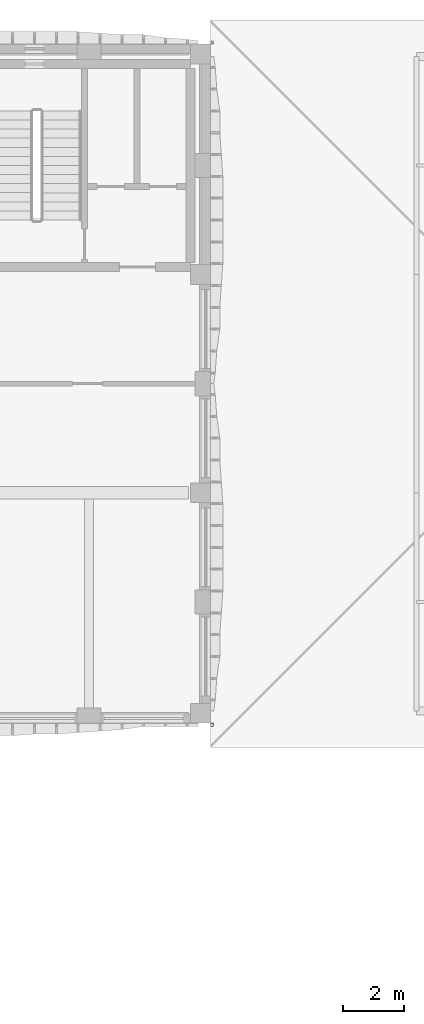
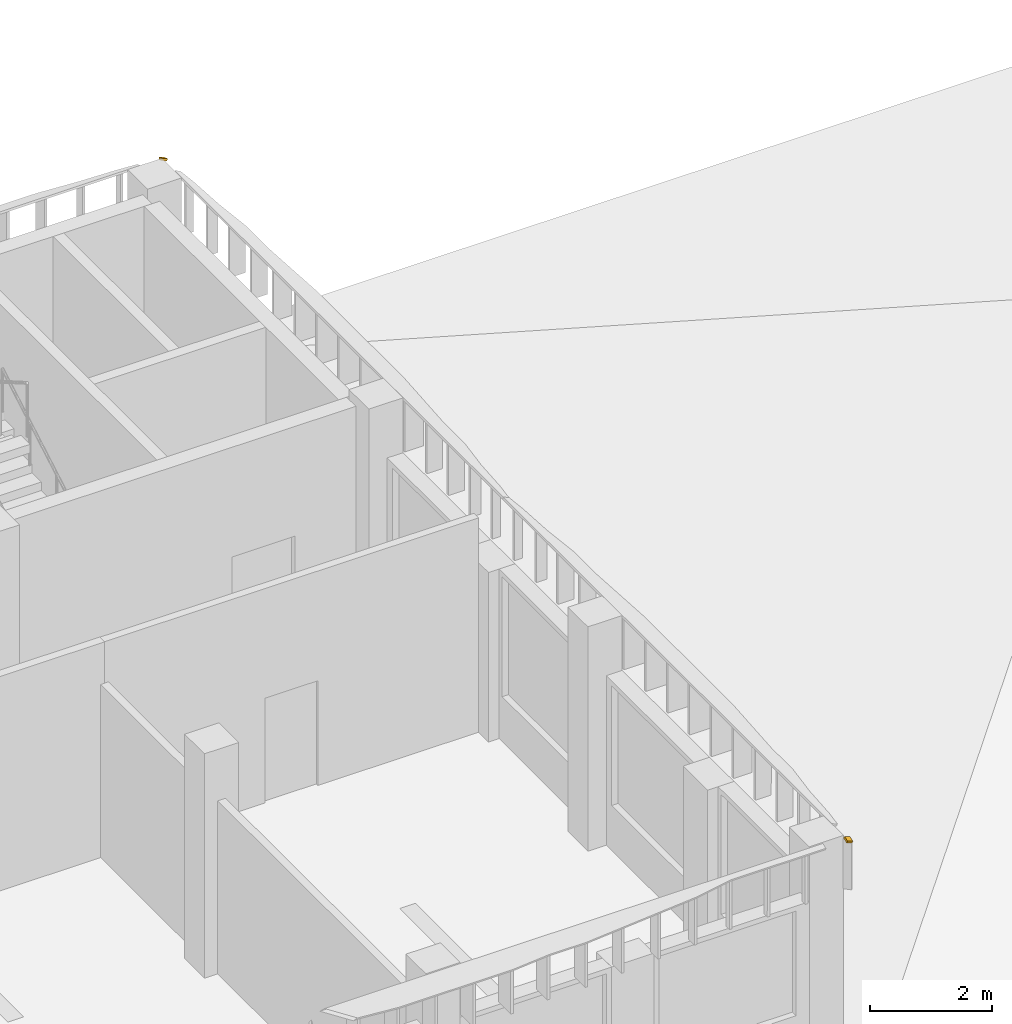
# One storey, part 54 of 54: 2 shading devices.
"""IFC4 building model written with IfcOpenShell, lengths in metres."""

from ifc_helpers import new_model, si_unit, direction, frame, origin, place, context, subcontext, project, spatial, polyline, outline, extrude, material, layer, layer_set, type_object, element, save


model = new_model("IFC4")

# Units and contexts
model_context = context("Model", 3, precision=1e-05, world=origin(), true_north=direction((0.0, 1.0)))
body_context = subcontext(model_context, "Body", "Model", "MODEL_VIEW")
ifc_project = project(units=[si_unit("LENGTHUNIT", "METRE"), si_unit("AREAUNIT", "SQUARE_METRE"), si_unit("VOLUMEUNIT", "CUBIC_METRE"), si_unit("PLANEANGLEUNIT", "RADIAN"), si_unit("MASSUNIT", "GRAM", prefix="KILO")], contexts=[model_context])

# Site, building, storey
site_placement = place(None, origin())
site = spatial("IfcSite", under=ifc_project, at=site_placement, CompositionType="ELEMENT")
building_placement = place(site_placement, origin())
building = spatial("IfcBuilding", under=site, at=building_placement, Name="Ussher Court Research Institute", CompositionType="ELEMENT")
storey_placement = place(building_placement, frame((0.0, 0.0, 14.39990234375)))
storey = spatial("IfcBuildingStorey", under=building, at=storey_placement, Name="L03", CompositionType="ELEMENT", Elevation=14.39990234375)

# Shading devices
ifc_material = material(Name="Bronze anodised aluminium", Category="aluminium")
ifc_layer = layer(ifc_material, 0.0400390625)
ifc_layer_set = layer_set([ifc_layer], Name="Bronze anodised aluminium")
shading_device_type = type_object("IfcShadingDeviceType", Name="Brim visor sheet 40 mm canted 20 deg dry", PredefinedType="USERDEFINED", material=ifc_layer_set)
shading_device_1_placement = place(storey_placement, frame((82.61279296875, 90.81298828125, 4.485595703125), z_axis=(0.323142227815, 0.323932306611, 0.889183311436), x_axis=(0.939860335167, 0.0, -0.341558999853)))
element("IfcShadingDevice", 1, at=shading_device_1_placement, inside=storey, type_object=shading_device_type, Name="Brim visor sheet BR2 L03", ObjectType="BRIM", PredefinedType="USERDEFINED", context=body_context, shape_type="SweptSolid", body=[
    extrude(outline(polyline([(0.0, 0.0), (0.10650269247958763, 0.0), (0.11892756820666907, 0.10554444449850095), (0.01242487572708144, 0.10554444449850096), (0.0, 0.0)])), origin(), (0.0, 0.0, -1.0), 0.0400390625),
])
shading_device_2_placement = place(storey_placement, frame((82.61279296875, 68.38720703125, 4.485595703125), z_axis=(0.323224861095, -0.323224861095, 0.889410691604), x_axis=(0.0, -0.939860335167, -0.341558999853)))
element("IfcShadingDevice", 2, at=shading_device_2_placement, inside=storey, type_object=shading_device_type, Name="Brim visor sheet BR2 L03", ObjectType="BRIM", PredefinedType="USERDEFINED", context=body_context, shape_type="SweptSolid", body=[
    extrude(outline(polyline([(0.0, 0.0), (0.10650269247958763, -1.734723475976807e-18), (0.11892756820666907, 0.10577545068950636), (0.01242487572708144, 0.10577545068950638), (0.0, 0.0)])), origin(), (0.0, 0.0, -1.0), 0.0400390625),
])

save(model, "model.ifc")
